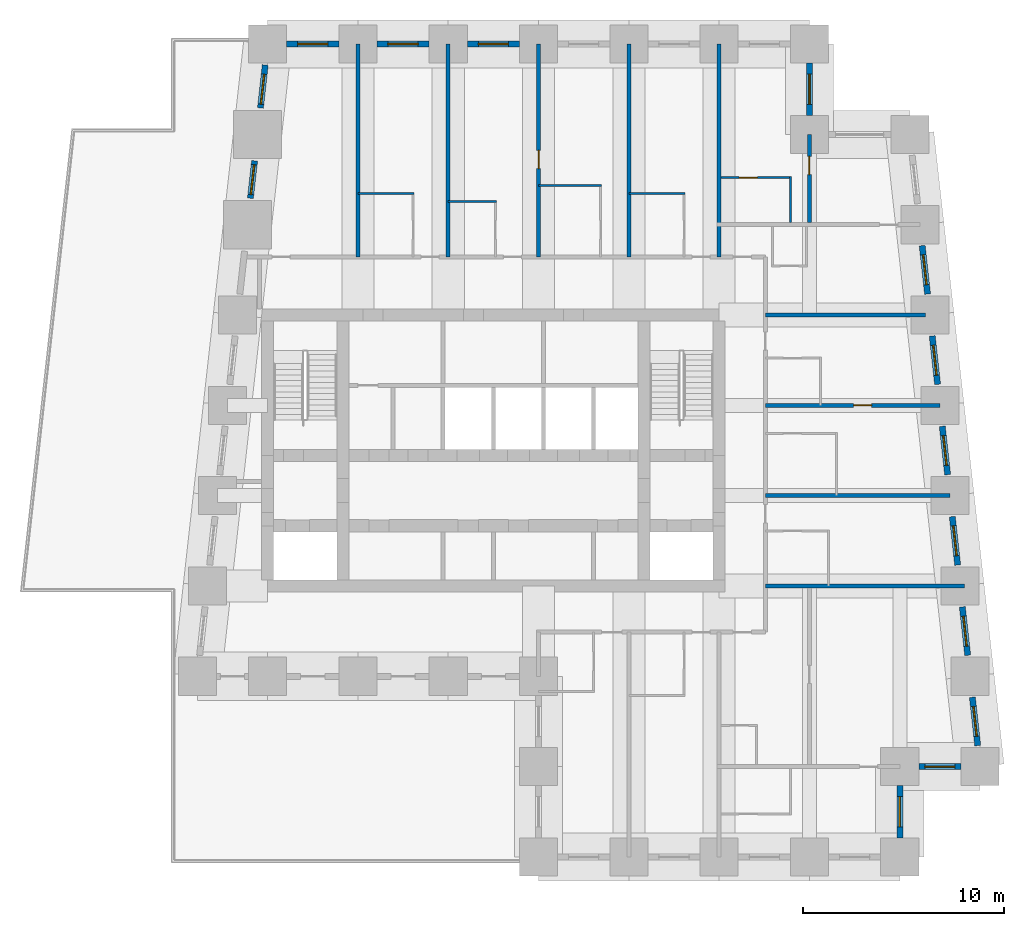
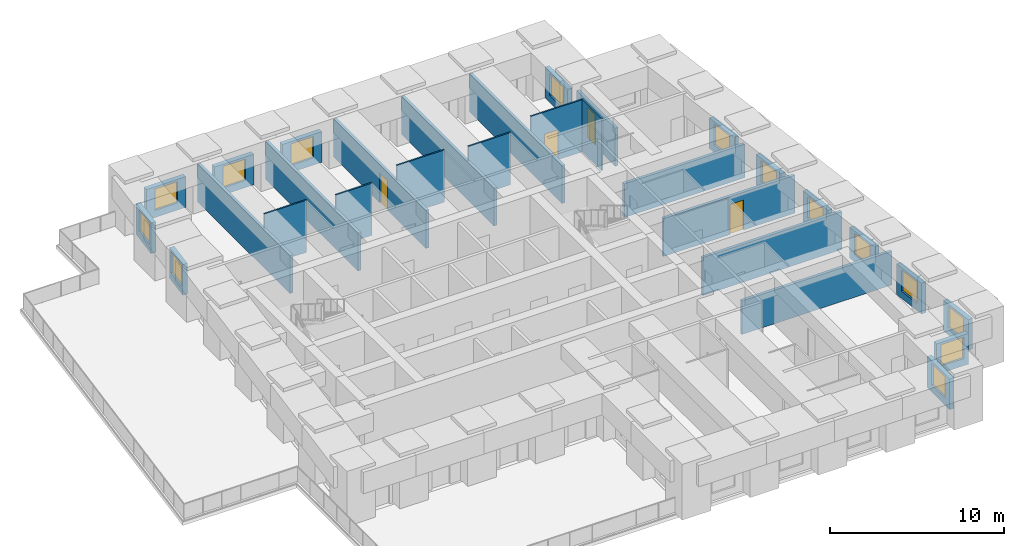
# One storey, part 5 of 7: 30 walls, 14 windows, 4 doors, 18 openings.
"""IFC4 building model written with IfcOpenShell, lengths in metres."""

from ifc_helpers import new_model, si_unit, direction, frame, frame_2d, origin, place, context, subcontext, project, spatial, rectangle, extrude, material, layer, layer_set, type_object, element, fill, save


model = new_model("IFC4")

# Units and contexts
model_context = context("Model", 3, precision=1e-05, world=origin(), true_north=direction((0.0, 1.0)))
body_context = subcontext(model_context, "Body", "Model", "MODEL_VIEW")
ifc_project = project(units=[si_unit("LENGTHUNIT", "METRE"), si_unit("AREAUNIT", "SQUARE_METRE"), si_unit("VOLUMEUNIT", "CUBIC_METRE"), si_unit("PLANEANGLEUNIT", "RADIAN"), si_unit("MASSUNIT", "GRAM", prefix="KILO")], contexts=[model_context])

# Site, building, storey
site_placement = place(None, origin())
site = spatial("IfcSite", under=ifc_project, at=site_placement, CompositionType="ELEMENT")
building_placement = place(site_placement, origin())
building = spatial("IfcBuilding", under=site, at=building_placement, Name="Kilele Tower Hotel", CompositionType="ELEMENT")
storey_placement = place(building_placement, frame((0.0, 0.0, 217.39990234375)))
storey = spatial("IfcBuildingStorey", under=building, at=storey_placement, Name="L56", CompositionType="ELEMENT", Elevation=217.39990234375)

# Walls
ifc_material_1 = material(Name="Moisture-resistant board")
ifc_layer_1 = layer(ifc_material_1, 0.10009765625)
ifc_layer_set_1 = layer_set([ifc_layer_1], Name="Moisture-resistant board")
wall_type_1 = type_object("IfcWallType", Name="Bathroom partition 100", PredefinedType="PLUMBINGWALL", material=ifc_layer_set_1)
wall_1_placement = place(storey_placement, frame((18.0, 33.050048828125, 0.0), z_axis=(0.0, 0.0, 1.0), x_axis=(1.0, 0.0, 0.0)))
element("IfcWall", 1, at=wall_1_placement, inside=storey, type_object=wall_type_1, Name="Bathroom partition 100 L56", PredefinedType="PLUMBINGWALL", context=body_context, shape_type="SweptSolid", body=[
    extrude(rectangle(XDim=2.800048828125, YDim=0.10009765625, at=frame_2d((1.39990234375, 0.0))), origin(), (0.0, 0.0, 1.0), 3.650146484375),
])
wall_2_placement = place(storey_placement, frame((22.5, 32.64990234375, 0.0), z_axis=(0.0, 0.0, 1.0), x_axis=(1.0, 0.0, 0.0)))
element("IfcWall", 2, at=wall_2_placement, inside=storey, type_object=wall_type_1, Name="Bathroom partition 100 L56", PredefinedType="PLUMBINGWALL", context=body_context, shape_type="SweptSolid", body=[
    extrude(rectangle(XDim=2.39990234375, YDim=0.10009765625, at=frame_2d((1.199951171875, 0.0))), origin(), (0.0, 0.0, 1.0), 3.650146484375),
])
wall_3_placement = place(storey_placement, frame((27.0, 33.449951171875, 0.0), z_axis=(0.0, 0.0, 1.0), x_axis=(1.0, 0.0, 0.0)))
element("IfcWall", 3, at=wall_3_placement, inside=storey, type_object=wall_type_1, Name="Bathroom partition 100 L56", PredefinedType="PLUMBINGWALL", context=body_context, shape_type="SweptSolid", body=[
    extrude(rectangle(XDim=3.14990234375, YDim=0.10009765625, at=frame_2d((1.574951171875, 0.0))), origin(), (0.0, 0.0, 1.0), 3.650146484375),
])
wall_4_placement = place(storey_placement, frame((31.5, 33.050048828125, 0.0), z_axis=(0.0, 0.0, 1.0), x_axis=(1.0, 0.0, 0.0)))
element("IfcWall", 4, at=wall_4_placement, inside=storey, type_object=wall_type_1, Name="Bathroom partition 100 L56", PredefinedType="PLUMBINGWALL", context=body_context, shape_type="SweptSolid", body=[
    extrude(rectangle(XDim=2.800048828125, YDim=0.10009765625, at=frame_2d((1.39990234375, 0.0))), origin(), (0.0, 0.0, 1.0), 3.650146484375),
])
wall_5_placement = place(storey_placement, frame((39.550048828125, 31.60009765625, 0.0), z_axis=(0.0, 0.0, 1.0), x_axis=(0.0, 1.0, 0.0)))
element("IfcWall", 5, at=wall_5_placement, inside=storey, type_object=wall_type_1, Name="Bathroom partition 100 L56", PredefinedType="PLUMBINGWALL", context=body_context, shape_type="SweptSolid", body=[
    extrude(rectangle(XDim=2.2998046875, YDim=0.10009765625, at=frame_2d((1.14990234375, 0.0))), origin(), (0.0, 0.0, 1.0), 3.650146484375),
])

# Wall, opening, door
wall_6_placement = place(storey_placement, frame((36.10009765625, 33.85009765625, 0.0), z_axis=(0.0, 0.0, 1.0), x_axis=(1.0, 0.0, 0.0)))
wall_6 = element("IfcWall", 6, at=wall_6_placement, inside=storey, type_object=wall_type_1, Name="Bathroom partition 100 L56", PredefinedType="PLUMBINGWALL", context=body_context, shape_type="SweptSolid", body=[
    extrude(rectangle(XDim=3.5, YDim=0.10009765625, at=frame_2d((1.75, 0.0))), origin(), (0.0, 0.0, 1.0), 3.650146484375),
])
opening_1_placement = place(wall_6_placement, frame((0.89990234375, 0.0, 0.0)))
opening_1 = element("IfcOpeningElement", 7, at=opening_1_placement, cuts=wall_6, Name="Opening D2A", PredefinedType="OPENING", context=body_context, shape_type="SweptSolid", body=[
    extrude(rectangle(XDim=0.89990234375, YDim=2.10009765625, at=frame_2d((0.449951171875, 1.050048828125))), frame((0.0, 0.06005859375, 0.0), z_axis=(0.0, -1.0, 0.0), x_axis=(1.0, 0.0, 0.0)), (0.0, 0.0, 1.0), 0.1201171875),
])
ifc_material_2 = material(Name="Timber door leaf in hardwood frame", Category="wood")
door_type_1 = type_object("IfcDoorType", Name="Bathroom door 900", OperationType="SINGLE_SWING_LEFT", PredefinedType="DOOR", material=ifc_material_2)
door_1_placement = place(opening_1_placement, origin())
door_1 = element("IfcDoor", 8, at=door_1_placement, inside=storey, type_object=door_type_1, Name="Bathroom door 5616B", OperationType="SINGLE_SWING_LEFT", OverallHeight=2.10009765625, OverallWidth=0.89990234375, PredefinedType="DOOR", context=body_context, shape_type="SweptSolid", body=[
    extrude(rectangle(XDim=0.89990234375, YDim=2.10009765625, at=frame_2d((0.449951171875, 1.050048828125))), frame((0.0, 0.02490234375, 0.0), z_axis=(0.0, -1.0, 0.0), x_axis=(1.0, 0.0, 0.0)), (0.0, 0.0, 1.0), 0.050048828125),
])
fill(opening_1, door_1)

ifc_material_3 = material(Name="Blockwork, plastered both sides", Category="masonry")
ifc_layer_2 = layer(ifc_material_3, 0.199951171875)
ifc_layer_set_2 = layer_set([ifc_layer_2], Name="Blockwork, plastered both sides")
wall_type_2 = type_object("IfcWallType", Name="Partition wall 200", PredefinedType="PARTITIONING", material=ifc_layer_set_2)
wall_7_placement = place(storey_placement, frame((40.5, 31.60009765625, 0.0), z_axis=(0.0, 0.0, 1.0), x_axis=(0.0, 1.0, 0.0)))
wall_7 = element("IfcWall", 9, at=wall_7_placement, inside=storey, type_object=wall_type_2, Name="Partition wall 200 L56", PredefinedType="PARTITIONING", context=body_context, shape_type="SweptSolid", body=[
    extrude(rectangle(XDim=4.39990234375, YDim=0.199951171875, at=frame_2d((2.199951171875, 0.0))), origin(), (0.0, 0.0, 1.0), 2.650146484375),
])
opening_2_placement = place(wall_7_placement, frame((2.39990234375, 0.0, 0.0)))
opening_2 = element("IfcOpeningElement", 10, at=opening_2_placement, cuts=wall_7, Name="Opening D3", PredefinedType="OPENING", context=body_context, shape_type="SweptSolid", body=[
    extrude(rectangle(XDim=0.89990234375, YDim=2.10009765625, at=frame_2d((0.449951171875, 1.050048828125))), frame((0.0, 0.10986328125, 0.0), z_axis=(0.0, -1.0, 0.0), x_axis=(1.0, 0.0, 0.0)), (0.0, 0.0, 1.0), 0.219970703125),
])
ifc_material_4 = material(Name="Timber door leaf in hardwood frame", Category="wood")
door_type_2 = type_object("IfcDoorType", Name="Suite internal door 900", OperationType="SINGLE_SWING_LEFT", PredefinedType="DOOR", material=ifc_material_4)
door_2_placement = place(opening_2_placement, origin())
door_2 = element("IfcDoor", 11, at=door_2_placement, inside=storey, type_object=door_type_2, Name="Suite door 5617", OperationType="SINGLE_SWING_LEFT", OverallHeight=2.10009765625, OverallWidth=0.89990234375, PredefinedType="DOOR", context=body_context, shape_type="SweptSolid", body=[
    extrude(rectangle(XDim=0.89990234375, YDim=2.10009765625, at=frame_2d((0.449951171875, 1.050048828125))), frame((0.0, 0.02490234375, 0.0), z_axis=(0.0, -1.0, 0.0), x_axis=(1.0, 0.0, 0.0)), (0.0, 0.0, 1.0), 0.050048828125),
])
fill(opening_2, door_2)

# Wall
ifc_material_5 = material(Name="Blockwork, plastered both sides", Category="masonry")
ifc_layer_3 = layer(ifc_material_5, 0.199951171875)
ifc_layer_set_3 = layer_set([ifc_layer_3], Name="Blockwork, plastered both sides")
wall_type_3 = type_object("IfcWallType", Name="Party wall 200", PredefinedType="PARTITIONING", material=ifc_layer_set_3)
wall_8_placement = place(storey_placement, frame((38.300048828125, 18.0, 0.0), z_axis=(0.0, 0.0, 1.0), x_axis=(1.0, 0.0, 0.0)))
element("IfcWall", 12, at=wall_8_placement, inside=storey, type_object=wall_type_3, Name="Party wall 200 L56", PredefinedType="PARTITIONING", context=body_context, shape_type="SweptSolid", body=[
    extrude(rectangle(XDim=9.198974609375, YDim=0.199951171875, at=frame_2d((4.599609375, 0.0))), origin(), (0.0, 0.0, 1.0), 2.650146484375),
])

# Wall, opening, door
wall_9_placement = place(storey_placement, frame((38.300048828125, 22.5, 0.0), z_axis=(0.0, 0.0, 1.0), x_axis=(1.0, 0.0, 0.0)))
wall_9 = element("IfcWall", 13, at=wall_9_placement, inside=storey, type_object=wall_type_3, Name="Party wall 200 L56", PredefinedType="PARTITIONING", context=body_context, shape_type="SweptSolid", body=[
    extrude(rectangle(XDim=8.698974609375, YDim=0.199951171875, at=frame_2d((4.349609375, 0.0))), origin(), (0.0, 0.0, 1.0), 2.650146484375),
])
opening_3_placement = place(wall_9_placement, frame((4.39990234375, 0.0, 0.0)))
opening_3 = element("IfcOpeningElement", 14, at=opening_3_placement, cuts=wall_9, Name="Opening D3", PredefinedType="OPENING", context=body_context, shape_type="SweptSolid", body=[
    extrude(rectangle(XDim=0.89990234375, YDim=2.10009765625, at=frame_2d((0.449951171875, 1.050048828125))), frame((0.0, 0.10986328125, 0.0), z_axis=(0.0, -1.0, 0.0), x_axis=(1.0, 0.0, 0.0)), (0.0, 0.0, 1.0), 0.219970703125),
])
door_3_placement = place(opening_3_placement, origin())
door_3 = element("IfcDoor", 15, at=door_3_placement, inside=storey, type_object=door_type_2, Name="Suite door 5606", OperationType="SINGLE_SWING_RIGHT", OverallHeight=2.10009765625, OverallWidth=0.89990234375, PredefinedType="DOOR", context=body_context, shape_type="SweptSolid", body=[
    extrude(rectangle(XDim=0.89990234375, YDim=2.10009765625, at=frame_2d((0.449951171875, 1.050048828125))), frame((0.0, 0.02490234375, 0.0), z_axis=(0.0, -1.0, 0.0), x_axis=(1.0, 0.0, 0.0)), (0.0, 0.0, 1.0), 0.050048828125),
])
fill(opening_3, door_3)

# Walls
for number, where, z_axis, x_axis, name in (
    (16, (18.0, 29.89990234375, 0.0), (0.0, 0.0, 1.0), (0.0, 1.0, 0.0), "Party wall 200 L56"),
    (17, (22.5, 29.89990234375, 0.0), (0.0, 0.0, 1.0), (0.0, 1.0, 0.0), "Party wall 200 L56"),
):
    element("IfcWall", number, at=place(storey_placement, frame(where, z_axis=z_axis, x_axis=x_axis)), inside=storey, type_object=wall_type_3, Name=name, PredefinedType="PARTITIONING", context=body_context, shape_type="SweptSolid", body=[
        extrude(rectangle(XDim=10.60009765625, YDim=0.199951171875, at=frame_2d((5.300048828125, 0.0))), origin(), (0.0, 0.0, 1.0), 2.650146484375),
    ])

# Wall, opening, door
wall_10_placement = place(storey_placement, frame((27.0, 29.89990234375, 0.0), z_axis=(0.0, 0.0, 1.0), x_axis=(0.0, 1.0, 0.0)))
wall_10 = element("IfcWall", 18, at=wall_10_placement, inside=storey, type_object=wall_type_3, Name="Party wall 200 L56", PredefinedType="PARTITIONING", context=body_context, shape_type="SweptSolid", body=[
    extrude(rectangle(XDim=10.60009765625, YDim=0.199951171875, at=frame_2d((5.300048828125, 0.0))), origin(), (0.0, 0.0, 1.0), 2.650146484375),
])
opening_4_placement = place(wall_10_placement, frame((5.2998046875, 0.0, 0.0), z_axis=(0.0, 0.0, 1.0), x_axis=(-1.0, 0.0, 0.0)))
opening_4 = element("IfcOpeningElement", 19, at=opening_4_placement, cuts=wall_10, Name="Opening D3", PredefinedType="OPENING", context=body_context, shape_type="SweptSolid", body=[
    extrude(rectangle(XDim=0.89990234375, YDim=2.10009765625, at=frame_2d((0.449951171875, 1.050048828125))), frame((0.0, 0.10986328125, 0.0), z_axis=(0.0, -1.0, 0.0), x_axis=(1.0, 0.0, 0.0)), (0.0, 0.0, 1.0), 0.219970703125),
])
door_4_placement = place(opening_4_placement, origin())
door_4 = element("IfcDoor", 20, at=door_4_placement, inside=storey, type_object=door_type_2, Name="Suite door 5610", OperationType="SINGLE_SWING_RIGHT", OverallHeight=2.10009765625, OverallWidth=0.89990234375, PredefinedType="DOOR", context=body_context, shape_type="SweptSolid", body=[
    extrude(rectangle(XDim=0.89990234375, YDim=2.10009765625, at=frame_2d((0.449951171875, 1.050048828125))), frame((0.0, 0.02490234375, 0.0), z_axis=(0.0, -1.0, 0.0), x_axis=(1.0, 0.0, 0.0)), (0.0, 0.0, 1.0), 0.050048828125),
])
fill(opening_4, door_4)

# Walls
wall_11_placement = place(storey_placement, frame((31.5, 29.89990234375, 0.0), z_axis=(0.0, 0.0, 1.0), x_axis=(0.0, 1.0, 0.0)))
element("IfcWall", 21, at=wall_11_placement, inside=storey, type_object=wall_type_3, Name="Party wall 200 L56", PredefinedType="PARTITIONING", context=body_context, shape_type="SweptSolid", body=[
    extrude(rectangle(XDim=10.60009765625, YDim=0.199951171875, at=frame_2d((5.300048828125, 0.0))), origin(), (0.0, 0.0, 1.0), 2.650146484375),
])
wall_12_placement = place(storey_placement, frame((38.300048828125, 13.5, 0.0), z_axis=(0.0, 0.0, 1.0), x_axis=(1.0, 0.0, 0.0)))
element("IfcWall", 22, at=wall_12_placement, inside=storey, type_object=wall_type_3, Name="Party wall 200 L56", PredefinedType="PARTITIONING", context=body_context, shape_type="SweptSolid", body=[
    extrude(rectangle(XDim=9.921142578125, YDim=0.199951171875, at=frame_2d((4.96044921875, 0.0))), origin(), (0.0, 0.0, 1.0), 2.35009765625),
])
wall_13_placement = place(storey_placement, frame((38.300048828125, 27.0, 0.0), z_axis=(0.0, 0.0, 1.0), x_axis=(1.0, 0.0, 0.0)))
element("IfcWall", 23, at=wall_13_placement, inside=storey, type_object=wall_type_3, Name="Party wall 200 L56", PredefinedType="PARTITIONING", context=body_context, shape_type="SweptSolid", body=[
    extrude(rectangle(XDim=7.976806640625, YDim=0.199951171875, at=frame_2d((3.98828125, 0.0))), origin(), (0.0, 0.0, 1.0), 2.35009765625),
])
wall_14_placement = place(storey_placement, frame((36.0, 29.89990234375, 0.0), z_axis=(0.0, 0.0, 1.0), x_axis=(0.0, 1.0, 0.0)))
element("IfcWall", 24, at=wall_14_placement, inside=storey, type_object=wall_type_3, Name="Party wall 200 L56", PredefinedType="PARTITIONING", context=body_context, shape_type="SweptSolid", body=[
    extrude(rectangle(XDim=10.60009765625, YDim=0.199951171875, at=frame_2d((5.300048828125, 0.0))), origin(), (0.0, 0.0, 1.0), 2.650146484375),
])

# Wall, opening, window
ifc_material_6 = material(Name="Concrete C40/50 precast", Category="concrete")
ifc_layer_4 = layer(ifc_material_6, 0.260009765625, Name="Precast backing", Category="LoadBearing")
ifc_material_7 = material(Name="Reconstituted stone finish", Category="masonry")
ifc_layer_5 = layer(ifc_material_7, 0.0400390625, Name="Face mix", Category="Finish")
ifc_layer_set_4 = layer_set([ifc_layer_4, ifc_layer_5], Name="Precast concrete C40/50, reconstituted stone finish")
wall_type_4 = type_object("IfcWallType", Name="Precast stone facade wall 300", PredefinedType="STANDARD", material=ifc_layer_set_4)
wall_15_placement = place(storey_placement, frame((45.0, 0.949951171875, 0.0), z_axis=(0.0, 0.0, 1.0), x_axis=(0.0, 1.0, 0.0)))
wall_15 = element("IfcWall", 25, at=wall_15_placement, inside=storey, type_object=wall_type_4, Name="Facade wall L56 edge 4 bay 1", PredefinedType="STANDARD", context=body_context, shape_type="SweptSolid", body=[
    extrude(rectangle(XDim=2.60009765625, YDim=0.300048828125, at=frame_2d((1.300048828125, 0.0))), origin(), (0.0, 0.0, 1.0), 2.150146484375),
])
opening_5_placement = place(wall_15_placement, frame((0.550048828125, 0.0, 0.5)))
opening_5 = element("IfcOpeningElement", 26, at=opening_5_placement, cuts=wall_15, Name="Opening W4", PredefinedType="OPENING", context=body_context, shape_type="SweptSolid", body=[
    extrude(rectangle(XDim=1.5, YDim=1.5, at=frame_2d((0.75, 0.75))), frame((0.0, 0.159912109375, 0.0), z_axis=(0.0, -1.0, 0.0), x_axis=(1.0, 0.0, 0.0)), (0.0, 0.0, 1.0), 0.320068359375),
])
ifc_material_8 = material(Name="Aluminium frame, clear double glazing", Category="aluminium")
window_type = type_object("IfcWindowType", Name="Window W4 1500 x 1500", PartitioningType="SINGLE_PANEL", PredefinedType="WINDOW", material=ifc_material_8)
window_1_placement = place(opening_5_placement, origin())
window_1 = element("IfcWindow", 27, at=window_1_placement, inside=storey, type_object=window_type, Name="Window L56", OverallHeight=1.5, OverallWidth=1.5, PartitioningType="SINGLE_PANEL", PredefinedType="WINDOW", context=body_context, shape_type="SweptSolid", body=[
    extrude(rectangle(XDim=1.5, YDim=1.5, at=frame_2d((0.75, 0.75))), frame((0.0, 0.030029296875, 0.0), z_axis=(0.0, -1.0, 0.0), x_axis=(1.0, 0.0, 0.0)), (0.0, 0.0, 1.0), 0.06005859375),
])
fill(opening_5, window_1)

wall_16_placement = place(storey_placement, frame((45.949951171875, 4.5, 0.0), z_axis=(0.0, 0.0, 1.0), x_axis=(1.0, 0.0, 0.0)))
wall_16 = element("IfcWall", 28, at=wall_16_placement, inside=storey, type_object=wall_type_4, Name="Facade wall L56 edge 5 bay 1", PredefinedType="STANDARD", context=body_context, shape_type="SweptSolid", body=[
    extrude(rectangle(XDim=2.10009765625, YDim=0.300048828125, at=frame_2d((1.050048828125, 0.0))), origin(), (0.0, 0.0, 1.0), 2.150146484375),
])
opening_6_placement = place(wall_16_placement, frame((0.300048828125, 0.0, 0.5)))
opening_6 = element("IfcOpeningElement", 29, at=opening_6_placement, cuts=wall_16, Name="Opening W4", PredefinedType="OPENING", context=body_context, shape_type="SweptSolid", body=[
    extrude(rectangle(XDim=1.5, YDim=1.5, at=frame_2d((0.75, 0.75))), frame((0.0, 0.159912109375, 0.0), z_axis=(0.0, -1.0, 0.0), x_axis=(1.0, 0.0, 0.0)), (0.0, 0.0, 1.0), 0.320068359375),
])
window_2_placement = place(opening_6_placement, origin())
window_2 = element("IfcWindow", 30, at=window_2_placement, inside=storey, type_object=window_type, Name="Window L56", OverallHeight=1.5, OverallWidth=1.5, PartitioningType="SINGLE_PANEL", PredefinedType="WINDOW", context=body_context, shape_type="SweptSolid", body=[
    extrude(rectangle(XDim=1.5, YDim=1.5, at=frame_2d((0.75, 0.75))), frame((0.0, 0.030029296875, 0.0), z_axis=(0.0, -1.0, 0.0), x_axis=(1.0, 0.0, 0.0)), (0.0, 0.0, 1.0), 0.06005859375),
])
fill(opening_6, window_2)

wall_17_placement = place(storey_placement, frame((48.884033203125, 5.542724609375, 0.0), z_axis=(0.0, 0.0, 1.0), x_axis=(-0.110343286306, 0.993893535127, 0.0)))
wall_17 = element("IfcWall", 31, at=wall_17_placement, inside=storey, type_object=wall_type_4, Name="Facade wall L56 edge 6 bay 1", PredefinedType="STANDARD", context=body_context, shape_type="SweptSolid", body=[
    extrude(rectangle(XDim=2.429443359375, YDim=0.300048828125, at=frame_2d((1.21484375, 0.0))), origin(), (0.0, 0.0, 1.0), 2.150146484375),
])
opening_7_placement = place(wall_17_placement, frame((0.46484375, 0.0, 0.5)))
opening_7 = element("IfcOpeningElement", 32, at=opening_7_placement, cuts=wall_17, Name="Opening W4", PredefinedType="OPENING", context=body_context, shape_type="SweptSolid", body=[
    extrude(rectangle(XDim=1.5, YDim=1.5, at=frame_2d((0.75, 0.75))), frame((0.0, 0.159912109375, 0.0), z_axis=(0.0, -1.0, 0.0), x_axis=(1.0, 0.0, 0.0)), (0.0, 0.0, 1.0), 0.320068359375),
])
window_3_placement = place(opening_7_placement, origin())
window_3 = element("IfcWindow", 33, at=window_3_placement, inside=storey, type_object=window_type, Name="Window L56", OverallHeight=1.5, OverallWidth=1.5, PartitioningType="SINGLE_PANEL", PredefinedType="WINDOW", context=body_context, shape_type="SweptSolid", body=[
    extrude(rectangle(XDim=1.5, YDim=1.5, at=frame_2d((0.75, 0.75))), frame((0.0, 0.030029296875, 0.0), z_axis=(0.0, -1.0, 0.0), x_axis=(1.0, 0.0, 0.0)), (0.0, 0.0, 1.0), 0.06005859375),
])
fill(opening_7, window_3)

wall_18_placement = place(storey_placement, frame((48.384033203125, 10.042724609375, 0.0), z_axis=(0.0, 0.0, 1.0), x_axis=(-0.110343286306, 0.993893535127, 0.0)))
wall_18 = element("IfcWall", 34, at=wall_18_placement, inside=storey, type_object=wall_type_4, Name="Facade wall L56 edge 6 bay 2", PredefinedType="STANDARD", context=body_context, shape_type="SweptSolid", body=[
    extrude(rectangle(XDim=2.429443359375, YDim=0.300048828125, at=frame_2d((1.21484375, 0.0))), origin(), (0.0, 0.0, 1.0), 2.150146484375),
])
opening_8_placement = place(wall_18_placement, frame((0.465087890625, 0.0, 0.5)))
opening_8 = element("IfcOpeningElement", 35, at=opening_8_placement, cuts=wall_18, Name="Opening W4", PredefinedType="OPENING", context=body_context, shape_type="SweptSolid", body=[
    extrude(rectangle(XDim=1.5, YDim=1.5, at=frame_2d((0.75, 0.75))), frame((0.0, 0.159912109375, 0.0), z_axis=(0.0, -1.0, 0.0), x_axis=(1.0, 0.0, 0.0)), (0.0, 0.0, 1.0), 0.320068359375),
])
window_4_placement = place(opening_8_placement, origin())
window_4 = element("IfcWindow", 36, at=window_4_placement, inside=storey, type_object=window_type, Name="Window L56", OverallHeight=1.5, OverallWidth=1.5, PartitioningType="SINGLE_PANEL", PredefinedType="WINDOW", context=body_context, shape_type="SweptSolid", body=[
    extrude(rectangle(XDim=1.5, YDim=1.5, at=frame_2d((0.75, 0.75))), frame((0.0, 0.030029296875, 0.0), z_axis=(0.0, -1.0, 0.0), x_axis=(1.0, 0.0, 0.0)), (0.0, 0.0, 1.0), 0.06005859375),
])
fill(opening_8, window_4)

wall_19_placement = place(storey_placement, frame((47.884033203125, 14.542724609375, 0.0), z_axis=(0.0, 0.0, 1.0), x_axis=(-0.110343286306, 0.993893535127, 0.0)))
wall_19 = element("IfcWall", 37, at=wall_19_placement, inside=storey, type_object=wall_type_4, Name="Facade wall L56 edge 6 bay 3", PredefinedType="STANDARD", context=body_context, shape_type="SweptSolid", body=[
    extrude(rectangle(XDim=2.429443359375, YDim=0.300048828125, at=frame_2d((1.21484375, 0.0))), origin(), (0.0, 0.0, 1.0), 2.150146484375),
])
opening_9_placement = place(wall_19_placement, frame((0.464599609375, 0.0, 0.5)))
opening_9 = element("IfcOpeningElement", 38, at=opening_9_placement, cuts=wall_19, Name="Opening W4", PredefinedType="OPENING", context=body_context, shape_type="SweptSolid", body=[
    extrude(rectangle(XDim=1.5, YDim=1.5, at=frame_2d((0.75, 0.75))), frame((0.0, 0.159912109375, 0.0), z_axis=(0.0, -1.0, 0.0), x_axis=(1.0, 0.0, 0.0)), (0.0, 0.0, 1.0), 0.320068359375),
])
window_5_placement = place(opening_9_placement, origin())
window_5 = element("IfcWindow", 39, at=window_5_placement, inside=storey, type_object=window_type, Name="Window L56", OverallHeight=1.5, OverallWidth=1.5, PartitioningType="SINGLE_PANEL", PredefinedType="WINDOW", context=body_context, shape_type="SweptSolid", body=[
    extrude(rectangle(XDim=1.5, YDim=1.5, at=frame_2d((0.75, 0.75))), frame((0.0, 0.030029296875, 0.0), z_axis=(0.0, -1.0, 0.0), x_axis=(1.0, 0.0, 0.0)), (0.0, 0.0, 1.0), 0.06005859375),
])
fill(opening_9, window_5)

wall_20_placement = place(storey_placement, frame((47.384033203125, 19.042724609375, 0.0), z_axis=(0.0, 0.0, 1.0), x_axis=(-0.110343286306, 0.993893535127, 0.0)))
wall_20 = element("IfcWall", 40, at=wall_20_placement, inside=storey, type_object=wall_type_4, Name="Facade wall L56 edge 6 bay 4", PredefinedType="STANDARD", context=body_context, shape_type="SweptSolid", body=[
    extrude(rectangle(XDim=2.429443359375, YDim=0.300048828125, at=frame_2d((1.21484375, 0.0))), origin(), (0.0, 0.0, 1.0), 2.150146484375),
])
opening_10_placement = place(wall_20_placement, frame((0.46484375, 0.0, 0.5)))
opening_10 = element("IfcOpeningElement", 41, at=opening_10_placement, cuts=wall_20, Name="Opening W4", PredefinedType="OPENING", context=body_context, shape_type="SweptSolid", body=[
    extrude(rectangle(XDim=1.5, YDim=1.5, at=frame_2d((0.75, 0.75))), frame((0.0, 0.159912109375, 0.0), z_axis=(0.0, -1.0, 0.0), x_axis=(1.0, 0.0, 0.0)), (0.0, 0.0, 1.0), 0.320068359375),
])
window_6_placement = place(opening_10_placement, origin())
window_6 = element("IfcWindow", 42, at=window_6_placement, inside=storey, type_object=window_type, Name="Window L56", OverallHeight=1.5, OverallWidth=1.5, PartitioningType="SINGLE_PANEL", PredefinedType="WINDOW", context=body_context, shape_type="SweptSolid", body=[
    extrude(rectangle(XDim=1.5, YDim=1.5, at=frame_2d((0.75, 0.75))), frame((0.0, 0.030029296875, 0.0), z_axis=(0.0, -1.0, 0.0), x_axis=(1.0, 0.0, 0.0)), (0.0, 0.0, 1.0), 0.06005859375),
])
fill(opening_10, window_6)

wall_21_placement = place(storey_placement, frame((46.884033203125, 23.542724609375, 0.0), z_axis=(0.0, 0.0, 1.0), x_axis=(-0.110343286306, 0.993893535127, 0.0)))
wall_21 = element("IfcWall", 43, at=wall_21_placement, inside=storey, type_object=wall_type_4, Name="Facade wall L56 edge 6 bay 5", PredefinedType="STANDARD", context=body_context, shape_type="SweptSolid", body=[
    extrude(rectangle(XDim=2.429443359375, YDim=0.300048828125, at=frame_2d((1.21484375, 0.0))), origin(), (0.0, 0.0, 1.0), 2.150146484375),
])
opening_11_placement = place(wall_21_placement, frame((0.465087890625, 0.0, 0.5)))
opening_11 = element("IfcOpeningElement", 44, at=opening_11_placement, cuts=wall_21, Name="Opening W4", PredefinedType="OPENING", context=body_context, shape_type="SweptSolid", body=[
    extrude(rectangle(XDim=1.5, YDim=1.5, at=frame_2d((0.75, 0.75))), frame((0.0, 0.159912109375, 0.0), z_axis=(0.0, -1.0, 0.0), x_axis=(1.0, 0.0, 0.0)), (0.0, 0.0, 1.0), 0.320068359375),
])
window_7_placement = place(opening_11_placement, origin())
window_7 = element("IfcWindow", 45, at=window_7_placement, inside=storey, type_object=window_type, Name="Window L56", OverallHeight=1.5, OverallWidth=1.5, PartitioningType="SINGLE_PANEL", PredefinedType="WINDOW", context=body_context, shape_type="SweptSolid", body=[
    extrude(rectangle(XDim=1.5, YDim=1.5, at=frame_2d((0.75, 0.75))), frame((0.0, 0.030029296875, 0.0), z_axis=(0.0, -1.0, 0.0), x_axis=(1.0, 0.0, 0.0)), (0.0, 0.0, 1.0), 0.06005859375),
])
fill(opening_11, window_7)

wall_22_placement = place(storey_placement, frame((46.384033203125, 28.042724609375, 0.0), z_axis=(0.0, 0.0, 1.0), x_axis=(-0.110343286306, 0.993893535127, 0.0)))
wall_22 = element("IfcWall", 46, at=wall_22_placement, inside=storey, type_object=wall_type_4, Name="Facade wall L56 edge 6 bay 6", PredefinedType="STANDARD", context=body_context, shape_type="SweptSolid", body=[
    extrude(rectangle(XDim=2.429443359375, YDim=0.300048828125, at=frame_2d((1.21484375, 0.0))), origin(), (0.0, 0.0, 1.0), 2.150146484375),
])
opening_12_placement = place(wall_22_placement, frame((0.46435546875, 0.0, 0.5)))
opening_12 = element("IfcOpeningElement", 47, at=opening_12_placement, cuts=wall_22, Name="Opening W4", PredefinedType="OPENING", context=body_context, shape_type="SweptSolid", body=[
    extrude(rectangle(XDim=1.5, YDim=1.5, at=frame_2d((0.75, 0.75))), frame((0.0, 0.159912109375, 0.0), z_axis=(0.0, -1.0, 0.0), x_axis=(1.0, 0.0, 0.0)), (0.0, 0.0, 1.0), 0.320068359375),
])
window_8_placement = place(opening_12_placement, origin())
window_8 = element("IfcWindow", 48, at=window_8_placement, inside=storey, type_object=window_type, Name="Window L56", OverallHeight=1.5, OverallWidth=1.5, PartitioningType="SINGLE_PANEL", PredefinedType="WINDOW", context=body_context, shape_type="SweptSolid", body=[
    extrude(rectangle(XDim=1.5, YDim=1.5, at=frame_2d((0.75, 0.75))), frame((0.0, 0.030029296875, 0.0), z_axis=(0.0, -1.0, 0.0), x_axis=(1.0, 0.0, 0.0)), (0.0, 0.0, 1.0), 0.06005859375),
])
fill(opening_12, window_8)

wall_23_placement = place(storey_placement, frame((40.5, 36.949951171875, 0.0), z_axis=(0.0, 0.0, 1.0), x_axis=(0.0, 1.0, 0.0)))
wall_23 = element("IfcWall", 49, at=wall_23_placement, inside=storey, type_object=wall_type_4, Name="Facade wall L56 edge 8 bay 1", PredefinedType="STANDARD", context=body_context, shape_type="SweptSolid", body=[
    extrude(rectangle(XDim=2.60009765625, YDim=0.300048828125, at=frame_2d((1.300048828125, 0.0))), origin(), (0.0, 0.0, 1.0), 2.150146484375),
])
opening_13_placement = place(wall_23_placement, frame((0.550048828125, 0.0, 0.5)))
opening_13 = element("IfcOpeningElement", 50, at=opening_13_placement, cuts=wall_23, Name="Opening W4", PredefinedType="OPENING", context=body_context, shape_type="SweptSolid", body=[
    extrude(rectangle(XDim=1.5, YDim=1.5, at=frame_2d((0.75, 0.75))), frame((0.0, 0.159912109375, 0.0), z_axis=(0.0, -1.0, 0.0), x_axis=(1.0, 0.0, 0.0)), (0.0, 0.0, 1.0), 0.320068359375),
])
window_9_placement = place(opening_13_placement, origin())
window_9 = element("IfcWindow", 51, at=window_9_placement, inside=storey, type_object=window_type, Name="Window L56", OverallHeight=1.5, OverallWidth=1.5, PartitioningType="SINGLE_PANEL", PredefinedType="WINDOW", context=body_context, shape_type="SweptSolid", body=[
    extrude(rectangle(XDim=1.5, YDim=1.5, at=frame_2d((0.75, 0.75))), frame((0.0, 0.030029296875, 0.0), z_axis=(0.0, -1.0, 0.0), x_axis=(1.0, 0.0, 0.0)), (0.0, 0.0, 1.0), 0.06005859375),
])
fill(opening_13, window_9)

wall_24_placement = place(storey_placement, frame((26.050048828125, 40.5, 0.0), z_axis=(0.0, 0.0, 1.0), x_axis=(-1.0, 0.0, 0.0)))
wall_24 = element("IfcWall", 52, at=wall_24_placement, inside=storey, type_object=wall_type_4, Name="Facade wall L56 edge 9 bay 4", PredefinedType="STANDARD", context=body_context, shape_type="SweptSolid", body=[
    extrude(rectangle(XDim=2.60009765625, YDim=0.300048828125, at=frame_2d((1.300048828125, 0.0))), origin(), (0.0, 0.0, 1.0), 2.150146484375),
])
opening_14_placement = place(wall_24_placement, frame((0.550048828125, 0.0, 0.5)))
opening_14 = element("IfcOpeningElement", 53, at=opening_14_placement, cuts=wall_24, Name="Opening W4", PredefinedType="OPENING", context=body_context, shape_type="SweptSolid", body=[
    extrude(rectangle(XDim=1.5, YDim=1.5, at=frame_2d((0.75, 0.75))), frame((0.0, 0.159912109375, 0.0), z_axis=(0.0, -1.0, 0.0), x_axis=(1.0, 0.0, 0.0)), (0.0, 0.0, 1.0), 0.320068359375),
])
window_10_placement = place(opening_14_placement, origin())
window_10 = element("IfcWindow", 54, at=window_10_placement, inside=storey, type_object=window_type, Name="Window L56", OverallHeight=1.5, OverallWidth=1.5, PartitioningType="SINGLE_PANEL", PredefinedType="WINDOW", context=body_context, shape_type="SweptSolid", body=[
    extrude(rectangle(XDim=1.5, YDim=1.5, at=frame_2d((0.75, 0.75))), frame((0.0, 0.030029296875, 0.0), z_axis=(0.0, -1.0, 0.0), x_axis=(1.0, 0.0, 0.0)), (0.0, 0.0, 1.0), 0.06005859375),
])
fill(opening_14, window_10)

wall_25_placement = place(storey_placement, frame((21.550048828125, 40.5, 0.0), z_axis=(0.0, 0.0, 1.0), x_axis=(-1.0, 0.0, 0.0)))
wall_25 = element("IfcWall", 55, at=wall_25_placement, inside=storey, type_object=wall_type_4, Name="Facade wall L56 edge 9 bay 5", PredefinedType="STANDARD", context=body_context, shape_type="SweptSolid", body=[
    extrude(rectangle(XDim=2.60009765625, YDim=0.300048828125, at=frame_2d((1.300048828125, 0.0))), origin(), (0.0, 0.0, 1.0), 2.150146484375),
])
opening_15_placement = place(wall_25_placement, frame((0.550048828125, 0.0, 0.5)))
opening_15 = element("IfcOpeningElement", 56, at=opening_15_placement, cuts=wall_25, Name="Opening W4", PredefinedType="OPENING", context=body_context, shape_type="SweptSolid", body=[
    extrude(rectangle(XDim=1.5, YDim=1.5, at=frame_2d((0.75, 0.75))), frame((0.0, 0.159912109375, 0.0), z_axis=(0.0, -1.0, 0.0), x_axis=(1.0, 0.0, 0.0)), (0.0, 0.0, 1.0), 0.320068359375),
])
window_11_placement = place(opening_15_placement, origin())
window_11 = element("IfcWindow", 57, at=window_11_placement, inside=storey, type_object=window_type, Name="Window L56", OverallHeight=1.5, OverallWidth=1.5, PartitioningType="SINGLE_PANEL", PredefinedType="WINDOW", context=body_context, shape_type="SweptSolid", body=[
    extrude(rectangle(XDim=1.5, YDim=1.5, at=frame_2d((0.75, 0.75))), frame((0.0, 0.030029296875, 0.0), z_axis=(0.0, -1.0, 0.0), x_axis=(1.0, 0.0, 0.0)), (0.0, 0.0, 1.0), 0.06005859375),
])
fill(opening_15, window_11)

wall_26_placement = place(storey_placement, frame((17.050048828125, 40.5, 0.0), z_axis=(0.0, 0.0, 1.0), x_axis=(-1.0, 0.0, 0.0)))
wall_26 = element("IfcWall", 58, at=wall_26_placement, inside=storey, type_object=wall_type_4, Name="Facade wall L56 edge 9 bay 6", PredefinedType="STANDARD", context=body_context, shape_type="SweptSolid", body=[
    extrude(rectangle(XDim=2.60009765625, YDim=0.300048828125, at=frame_2d((1.300048828125, 0.0))), origin(), (0.0, 0.0, 1.0), 2.150146484375),
])
opening_16_placement = place(wall_26_placement, frame((0.550048828125, 0.0, 0.5)))
opening_16 = element("IfcOpeningElement", 59, at=opening_16_placement, cuts=wall_26, Name="Opening W4", PredefinedType="OPENING", context=body_context, shape_type="SweptSolid", body=[
    extrude(rectangle(XDim=1.5, YDim=1.5, at=frame_2d((0.75, 0.75))), frame((0.0, 0.159912109375, 0.0), z_axis=(0.0, -1.0, 0.0), x_axis=(1.0, 0.0, 0.0)), (0.0, 0.0, 1.0), 0.320068359375),
])
window_12_placement = place(opening_16_placement, origin())
window_12 = element("IfcWindow", 60, at=window_12_placement, inside=storey, type_object=window_type, Name="Window L56", OverallHeight=1.5, OverallWidth=1.5, PartitioningType="SINGLE_PANEL", PredefinedType="WINDOW", context=body_context, shape_type="SweptSolid", body=[
    extrude(rectangle(XDim=1.5, YDim=1.5, at=frame_2d((0.75, 0.75))), frame((0.0, 0.030029296875, 0.0), z_axis=(0.0, -1.0, 0.0), x_axis=(1.0, 0.0, 0.0)), (0.0, 0.0, 1.0), 0.06005859375),
])
fill(opening_16, window_12)

wall_27_placement = place(storey_placement, frame((13.384033203125, 39.457275390625, 0.0), z_axis=(0.0, 0.0, 1.0), x_axis=(-0.110431526075, -0.993883734674, 0.0)))
wall_27 = element("IfcWall", 61, at=wall_27_placement, inside=storey, type_object=wall_type_4, Name="Facade wall L56 edge 10 bay 1", PredefinedType="STANDARD", context=body_context, shape_type="SweptSolid", body=[
    extrude(rectangle(XDim=2.1533203125, YDim=0.300048828125, at=frame_2d((1.07666015625, 0.0))), origin(), (0.0, 0.0, 1.0), 2.150146484375),
])
opening_17_placement = place(wall_27_placement, frame((0.46484375, 0.0, 0.5)))
opening_17 = element("IfcOpeningElement", 62, at=opening_17_placement, cuts=wall_27, Name="Opening W4", PredefinedType="OPENING", context=body_context, shape_type="SweptSolid", body=[
    extrude(rectangle(XDim=1.5, YDim=1.5, at=frame_2d((0.75, 0.75))), frame((0.0, 0.159912109375, 0.0), z_axis=(0.0, -1.0, 0.0), x_axis=(1.0, 0.0, 0.0)), (0.0, 0.0, 1.0), 0.320068359375),
])
window_13_placement = place(opening_17_placement, origin())
window_13 = element("IfcWindow", 63, at=window_13_placement, inside=storey, type_object=window_type, Name="Window L56", OverallHeight=1.5, OverallWidth=1.5, PartitioningType="SINGLE_PANEL", PredefinedType="WINDOW", context=body_context, shape_type="SweptSolid", body=[
    extrude(rectangle(XDim=1.5, YDim=1.5, at=frame_2d((0.75, 0.75))), frame((0.0, 0.030029296875, 0.0), z_axis=(0.0, -1.0, 0.0), x_axis=(1.0, 0.0, 0.0)), (0.0, 0.0, 1.0), 0.06005859375),
])
fill(opening_17, window_13)

wall_28_placement = place(storey_placement, frame((12.853759765625, 34.682861328125, 0.0), z_axis=(0.0, 0.0, 1.0), x_axis=(-0.110545718915, -0.993871039939, 0.0)))
wall_28 = element("IfcWall", 64, at=wall_28_placement, inside=storey, type_object=wall_type_4, Name="Facade wall L56 edge 10 bay 2", PredefinedType="STANDARD", context=body_context, shape_type="SweptSolid", body=[
    extrude(rectangle(XDim=1.877197265625, YDim=0.300048828125, at=frame_2d((0.9384765625, 0.0))), origin(), (0.0, 0.0, 1.0), 2.150146484375),
])
opening_18_placement = place(wall_28_placement, frame((0.189208984375, 0.0, 0.5)))
opening_18 = element("IfcOpeningElement", 65, at=opening_18_placement, cuts=wall_28, Name="Opening W4", PredefinedType="OPENING", context=body_context, shape_type="SweptSolid", body=[
    extrude(rectangle(XDim=1.5, YDim=1.5, at=frame_2d((0.75, 0.75))), frame((0.0, 0.159912109375, 0.0), z_axis=(0.0, -1.0, 0.0), x_axis=(1.0, 0.0, 0.0)), (0.0, 0.0, 1.0), 0.320068359375),
])
window_14_placement = place(opening_18_placement, origin())
window_14 = element("IfcWindow", 66, at=window_14_placement, inside=storey, type_object=window_type, Name="Window L56", OverallHeight=1.5, OverallWidth=1.5, PartitioningType="SINGLE_PANEL", PredefinedType="WINDOW", context=body_context, shape_type="SweptSolid", body=[
    extrude(rectangle(XDim=1.5, YDim=1.5, at=frame_2d((0.75, 0.75))), frame((0.0, 0.030029296875, 0.0), z_axis=(0.0, -1.0, 0.0), x_axis=(1.0, 0.0, 0.0)), (0.0, 0.0, 1.0), 0.06005859375),
])
fill(opening_18, window_14)

save(model, "model.ifc")
